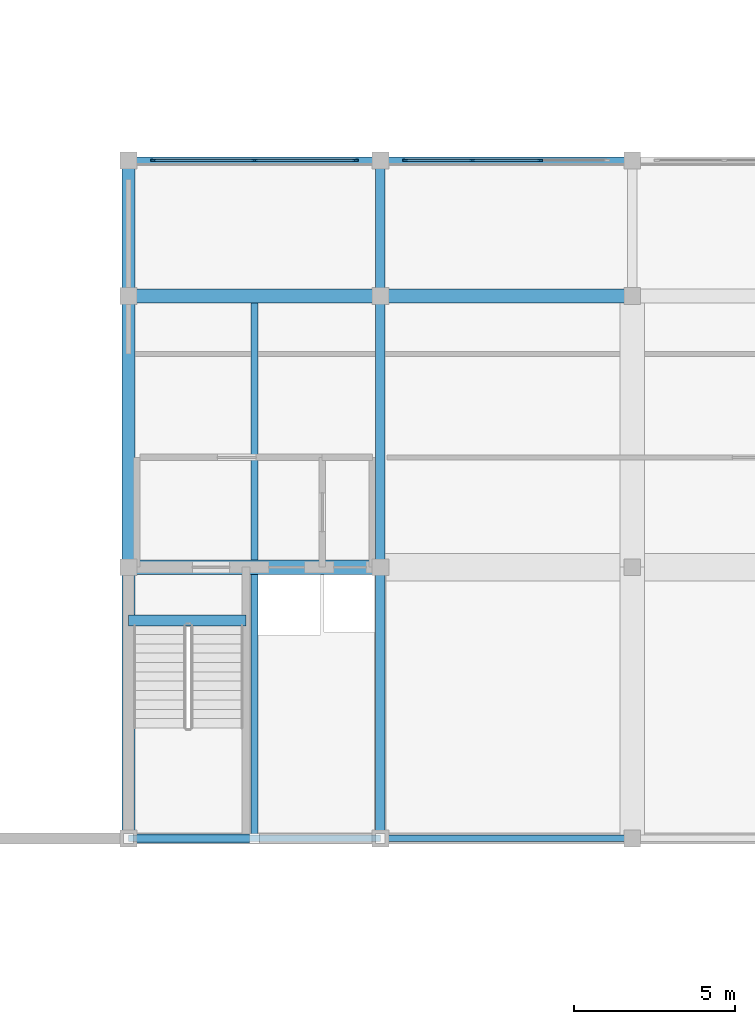
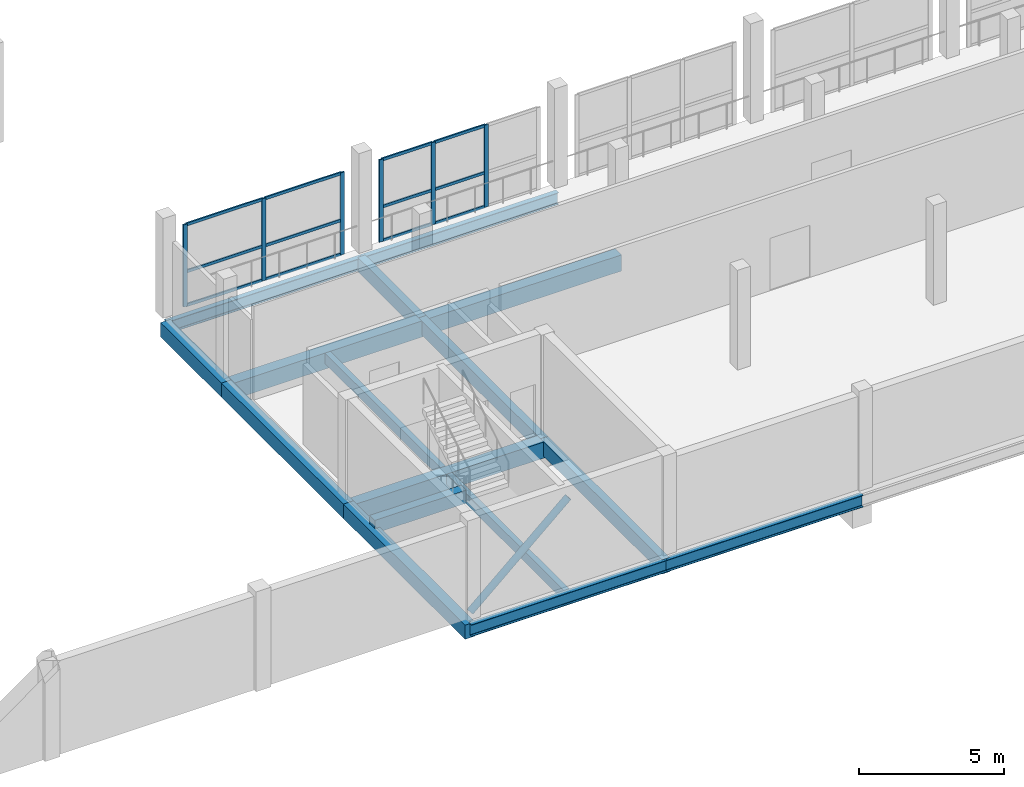
# One storey, part 27 of 53: 19 members, 16 beams, 2 elements without a shape of their own.
"""IFC4 building model written with IfcOpenShell, lengths in metres."""

from ifc_helpers import new_model, si_unit, direction, frame, origin, origin_2d, place, context, subcontext, project, spatial, rectangle, hollow_circle, i_section, extrude, material, material_profile, profile_set, type_object, element, aggregate, save


model = new_model("IFC4")

# Units and contexts
model_context = context("Model", 3, precision=1e-05, world=origin(), true_north=direction((0.0, 1.0)))
body_context = subcontext(model_context, "Body", "Model", "MODEL_VIEW")
ifc_project = project(units=[si_unit("LENGTHUNIT", "METRE"), si_unit("AREAUNIT", "SQUARE_METRE"), si_unit("VOLUMEUNIT", "CUBIC_METRE"), si_unit("PLANEANGLEUNIT", "RADIAN"), si_unit("MASSUNIT", "GRAM", prefix="KILO")], contexts=[model_context])

# Site, building, storey
site_placement = place(None, origin())
site = spatial("IfcSite", under=ifc_project, at=site_placement, CompositionType="ELEMENT")
building_placement = place(site_placement, origin())
building = spatial("IfcBuilding", under=site, at=building_placement, Name="Vharandega Faculty of Natural Sciences", CompositionType="ELEMENT")
storey_placement = place(building_placement, frame((0.0, 0.0, 10.199951171875)))
storey = spatial("IfcBuildingStorey", under=building, at=storey_placement, Name="L02", CompositionType="ELEMENT", Elevation=10.199951171875)

# Curtain wall, members
ifc_material_1 = material(Name="Aluminium and solar-control glass curtain wall", Category="aluminium")
curtain_wall_type_1 = type_object("IfcCurtainWallType", Name="Unitised Curtain Wall System CW-09", PredefinedType="NOTDEFINED", material=ifc_material_1)
curtain_wall_1_placement = place(storey_placement, origin())
curtain_wall_1 = element("IfcCurtainWall", 1, at=curtain_wall_1_placement, inside=storey, type_object=curtain_wall_type_1, Name="Curtain Wall CW-L02-008", PredefinedType="NOTDEFINED")
ifc_material_2 = material(Name="Thermally broken aluminium 6063-T6", Category="aluminium")
ifc_material_profile_1 = material_profile(ifc_material_2, rectangle(XDim=0.06005859375, YDim=0.159912109375, at=origin_2d()), Name="ALU 60x160")
ifc_profile_set_1 = profile_set([ifc_material_profile_1], Name="Thermally broken aluminium 6063-T6")
member_type_1 = type_object("IfcMemberType", Name="CW Mullion 60x160", PredefinedType="MULLION", material=ifc_profile_set_1)
member_1_placement = place(storey_placement, frame((115.570068359375, 85.0, 0.0), z_axis=(0.0, 0.0, 1.0), x_axis=(0.0, 1.0, 0.0)))
member_1 = element("IfcMember", 2, at=member_1_placement, type_object=member_type_1, Name="CW-09 mullion 1", PredefinedType="MULLION", context=body_context, shape_type="SweptSolid", body=[
    extrude(rectangle(XDim=0.06005859375, YDim=0.159912109375, at=origin_2d()), origin(), (0.0, 0.0, 1.0), 3.4599609375),
])
member_2_placement = place(storey_placement, frame((118.699951171875, 85.0, 0.0), z_axis=(0.0, 0.0, 1.0), x_axis=(0.0, 1.0, 0.0)))
member_2 = element("IfcMember", 3, at=member_2_placement, type_object=member_type_1, Name="CW-09 mullion 2", PredefinedType="MULLION", context=body_context, shape_type="SweptSolid", body=[
    extrude(rectangle(XDim=0.06005859375, YDim=0.159912109375, at=origin_2d()), origin(), (0.0, 0.0, 1.0), 3.4599609375),
])
member_3_placement = place(storey_placement, frame((121.830078125, 85.0, 0.0), z_axis=(0.0, 0.0, 1.0), x_axis=(0.0, 1.0, 0.0)))
member_3 = element("IfcMember", 4, at=member_3_placement, type_object=member_type_1, Name="CW-09 mullion 3", PredefinedType="MULLION", context=body_context, shape_type="SweptSolid", body=[
    extrude(rectangle(XDim=0.06005859375, YDim=0.159912109375, at=origin_2d()), origin(), (0.0, 0.0, 1.0), 3.4599609375),
])

ifc_material_3 = material(Name="Aluminium and solar-control glass curtain wall", Category="aluminium")
curtain_wall_type_2 = type_object("IfcCurtainWallType", Name="Unitised Curtain Wall System CW-10", PredefinedType="NOTDEFINED", material=ifc_material_3)
curtain_wall_2_placement = place(storey_placement, origin())
curtain_wall_2 = element("IfcCurtainWall", 5, at=curtain_wall_2_placement, inside=storey, type_object=curtain_wall_type_2, Name="Curtain Wall CW-L02-009", PredefinedType="NOTDEFINED")
member_4_placement = place(storey_placement, frame((123.3701171875, 85.0, 0.0), z_axis=(0.0, 0.0, 1.0), x_axis=(0.0, 1.0, 0.0)))
member_4 = element("IfcMember", 6, at=member_4_placement, type_object=member_type_1, Name="CW-10 mullion 1", PredefinedType="MULLION", context=body_context, shape_type="SweptSolid", body=[
    extrude(rectangle(XDim=0.06005859375, YDim=0.159912109375, at=origin_2d()), origin(), (0.0, 0.0, 1.0), 3.4599609375),
])
member_5_placement = place(storey_placement, frame((125.44677734375, 85.0, 0.0), z_axis=(0.0, 0.0, 1.0), x_axis=(0.0, 1.0, 0.0)))
member_5 = element("IfcMember", 7, at=member_5_placement, type_object=member_type_1, Name="CW-10 mullion 2", PredefinedType="MULLION", context=body_context, shape_type="SweptSolid", body=[
    extrude(rectangle(XDim=0.06005859375, YDim=0.159912109375, at=origin_2d()), origin(), (0.0, 0.0, 1.0), 3.4599609375),
])
member_6_placement = place(storey_placement, frame((127.55322265625, 85.0, 0.0), z_axis=(0.0, 0.0, 1.0), x_axis=(0.0, 1.0, 0.0)))
member_6 = element("IfcMember", 8, at=member_6_placement, type_object=member_type_1, Name="CW-10 mullion 3", PredefinedType="MULLION", context=body_context, shape_type="SweptSolid", body=[
    extrude(rectangle(XDim=0.06005859375, YDim=0.159912109375, at=origin_2d()), origin(), (0.0, 0.0, 1.0), 3.4599609375),
])

# Member
ifc_material_4 = material(Name="Thermally broken aluminium 6063-T6", Category="aluminium")
ifc_material_profile_2 = material_profile(ifc_material_4, rectangle(XDim=0.06005859375, YDim=0.1201171875, at=origin_2d()), Name="ALU 60x120")
ifc_profile_set_2 = profile_set([ifc_material_profile_2], Name="Thermally broken aluminium 6063-T6")
member_type_2 = type_object("IfcMemberType", Name="CW Transom 60x120", PredefinedType="USERDEFINED", material=ifc_profile_set_2)
member_7_placement = place(storey_placement, frame((115.60009765625, 85.0, 0.030029296875), z_axis=(1.0, 0.0, 0.0), x_axis=(0.0, 1.0, 0.0)))
member_7 = element("IfcMember", 9, at=member_7_placement, type_object=member_type_2, Name="CW-09 transom 1.1", ObjectType="TRANSOM", PredefinedType="USERDEFINED", context=body_context, shape_type="SweptSolid", body=[
    extrude(rectangle(XDim=0.06005859375, YDim=0.1201171875, at=origin_2d()), origin(), (0.0, 0.0, 1.0), 3.06982421875),
])

member_8_placement = place(storey_placement, frame((115.60009765625, 85.0, 1.453369140625), z_axis=(1.0, 0.0, 0.0), x_axis=(0.0, 1.0, 0.0)))
member_8 = element("IfcMember", 10, at=member_8_placement, type_object=member_type_2, Name="CW-09 transom 1.2", ObjectType="TRANSOM", PredefinedType="USERDEFINED", context=body_context, shape_type="SweptSolid", body=[
    extrude(rectangle(XDim=0.06005859375, YDim=0.1201171875, at=origin_2d()), origin(), (0.0, 0.0, 1.0), 3.06982421875),
])

member_9_placement = place(storey_placement, frame((115.60009765625, 85.0, 3.429931640625), z_axis=(1.0, 0.0, 0.0), x_axis=(0.0, 1.0, 0.0)))
member_9 = element("IfcMember", 11, at=member_9_placement, type_object=member_type_2, Name="CW-09 transom 1.3", ObjectType="TRANSOM", PredefinedType="USERDEFINED", context=body_context, shape_type="SweptSolid", body=[
    extrude(rectangle(XDim=0.06005859375, YDim=0.1201171875, at=origin_2d()), origin(), (0.0, 0.0, 1.0), 3.06982421875),
])

member_10_placement = place(storey_placement, frame((118.72998046875, 85.0, 0.030029296875), z_axis=(1.0, 0.0, 0.0), x_axis=(0.0, 1.0, 0.0)))
member_10 = element("IfcMember", 12, at=member_10_placement, type_object=member_type_2, Name="CW-09 transom 2.1", ObjectType="TRANSOM", PredefinedType="USERDEFINED", context=body_context, shape_type="SweptSolid", body=[
    extrude(rectangle(XDim=0.06005859375, YDim=0.1201171875, at=origin_2d()), origin(), (0.0, 0.0, 1.0), 3.070068359375),
])

member_11_placement = place(storey_placement, frame((118.72998046875, 85.0, 1.453369140625), z_axis=(1.0, 0.0, 0.0), x_axis=(0.0, 1.0, 0.0)))
member_11 = element("IfcMember", 13, at=member_11_placement, type_object=member_type_2, Name="CW-09 transom 2.2", ObjectType="TRANSOM", PredefinedType="USERDEFINED", context=body_context, shape_type="SweptSolid", body=[
    extrude(rectangle(XDim=0.06005859375, YDim=0.1201171875, at=origin_2d()), origin(), (0.0, 0.0, 1.0), 3.070068359375),
])

member_12_placement = place(storey_placement, frame((118.72998046875, 85.0, 3.429931640625), z_axis=(1.0, 0.0, 0.0), x_axis=(0.0, 1.0, 0.0)))
member_12 = element("IfcMember", 14, at=member_12_placement, type_object=member_type_2, Name="CW-09 transom 2.3", ObjectType="TRANSOM", PredefinedType="USERDEFINED", context=body_context, shape_type="SweptSolid", body=[
    extrude(rectangle(XDim=0.06005859375, YDim=0.1201171875, at=origin_2d()), origin(), (0.0, 0.0, 1.0), 3.070068359375),
])

aggregate(curtain_wall_1, [member_1, member_2, member_3, member_7, member_8, member_9, member_10, member_11, member_12])

member_13_placement = place(storey_placement, frame((123.39990234375, 85.0, 0.030029296875), z_axis=(1.0, 0.0, 0.0), x_axis=(0.0, 1.0, 0.0)))
member_13 = element("IfcMember", 15, at=member_13_placement, type_object=member_type_2, Name="CW-10 transom 1.1", ObjectType="TRANSOM", PredefinedType="USERDEFINED", context=body_context, shape_type="SweptSolid", body=[
    extrude(rectangle(XDim=0.06005859375, YDim=0.1201171875, at=origin_2d()), origin(), (0.0, 0.0, 1.0), 2.016845703125),
])

member_14_placement = place(storey_placement, frame((123.39990234375, 85.0, 1.453369140625), z_axis=(1.0, 0.0, 0.0), x_axis=(0.0, 1.0, 0.0)))
member_14 = element("IfcMember", 16, at=member_14_placement, type_object=member_type_2, Name="CW-10 transom 1.2", ObjectType="TRANSOM", PredefinedType="USERDEFINED", context=body_context, shape_type="SweptSolid", body=[
    extrude(rectangle(XDim=0.06005859375, YDim=0.1201171875, at=origin_2d()), origin(), (0.0, 0.0, 1.0), 2.016845703125),
])

member_15_placement = place(storey_placement, frame((123.39990234375, 85.0, 3.429931640625), z_axis=(1.0, 0.0, 0.0), x_axis=(0.0, 1.0, 0.0)))
member_15 = element("IfcMember", 17, at=member_15_placement, type_object=member_type_2, Name="CW-10 transom 1.3", ObjectType="TRANSOM", PredefinedType="USERDEFINED", context=body_context, shape_type="SweptSolid", body=[
    extrude(rectangle(XDim=0.06005859375, YDim=0.1201171875, at=origin_2d()), origin(), (0.0, 0.0, 1.0), 2.016845703125),
])

member_16_placement = place(storey_placement, frame((125.4765625, 85.0, 0.030029296875), z_axis=(1.0, 0.0, 0.0), x_axis=(0.0, 1.0, 0.0)))
member_16 = element("IfcMember", 18, at=member_16_placement, type_object=member_type_2, Name="CW-10 transom 2.1", ObjectType="TRANSOM", PredefinedType="USERDEFINED", context=body_context, shape_type="SweptSolid", body=[
    extrude(rectangle(XDim=0.06005859375, YDim=0.1201171875, at=origin_2d()), origin(), (0.0, 0.0, 1.0), 2.046875),
])

member_17_placement = place(storey_placement, frame((125.4765625, 85.0, 1.453369140625), z_axis=(1.0, 0.0, 0.0), x_axis=(0.0, 1.0, 0.0)))
member_17 = element("IfcMember", 19, at=member_17_placement, type_object=member_type_2, Name="CW-10 transom 2.2", ObjectType="TRANSOM", PredefinedType="USERDEFINED", context=body_context, shape_type="SweptSolid", body=[
    extrude(rectangle(XDim=0.06005859375, YDim=0.1201171875, at=origin_2d()), origin(), (0.0, 0.0, 1.0), 2.046875),
])

member_18_placement = place(storey_placement, frame((125.4765625, 85.0, 3.429931640625), z_axis=(1.0, 0.0, 0.0), x_axis=(0.0, 1.0, 0.0)))
member_18 = element("IfcMember", 20, at=member_18_placement, type_object=member_type_2, Name="CW-10 transom 2.3", ObjectType="TRANSOM", PredefinedType="USERDEFINED", context=body_context, shape_type="SweptSolid", body=[
    extrude(rectangle(XDim=0.06005859375, YDim=0.1201171875, at=origin_2d()), origin(), (0.0, 0.0, 1.0), 2.046875),
])

aggregate(curtain_wall_2, [member_4, member_5, member_6, member_13, member_14, member_15, member_16, member_17, member_18])

# Beams
ifc_material_5 = material(Name="Glulam GL28h", Category="wood")
ifc_material_profile_3 = material_profile(ifc_material_5, rectangle(XDim=0.300048828125, YDim=0.60009765625, at=origin_2d()), Name="GL28h 300x600")
ifc_profile_set_3 = profile_set([ifc_material_profile_3], Name="Glulam GL28h")
beam_type_1 = type_object("IfcBeamType", Name="Glulam Floor Beam 300x600", PredefinedType="BEAM", material=ifc_profile_set_3)
beam_1_placement = place(storey_placement, frame((122.60009765625, 64.0, -0.64990234375), z_axis=(0.0, 1.0, 0.0), x_axis=(-1.0, 0.0, 0.0)))
element("IfcBeam", 21, at=beam_1_placement, inside=storey, type_object=beam_type_1, Name="Beam L02 16/J-K", PredefinedType="BEAM", context=body_context, shape_type="SweptSolid", body=[
    extrude(rectangle(XDim=0.300048828125, YDim=0.60009765625, at=origin_2d()), origin(), (0.0, 0.0, 1.0), 8.39990234375),
])
beam_2_placement = place(storey_placement, frame((122.60009765625, 72.39990234375, -0.64990234375), z_axis=(0.0, 1.0, 0.0), x_axis=(-1.0, 0.0, 0.0)))
element("IfcBeam", 22, at=beam_2_placement, inside=storey, type_object=beam_type_1, Name="Beam L02 16/K-L", PredefinedType="BEAM", context=body_context, shape_type="SweptSolid", body=[
    extrude(rectangle(XDim=0.300048828125, YDim=0.60009765625, at=origin_2d()), origin(), (0.0, 0.0, 1.0), 8.400146484375),
])
beam_3_placement = place(storey_placement, frame((122.60009765625, 80.800048828125, -0.64990234375), z_axis=(0.0, 1.0, 0.0), x_axis=(-1.0, 0.0, 0.0)))
element("IfcBeam", 23, at=beam_3_placement, inside=storey, type_object=beam_type_1, Name="Beam L02 16/L-M", PredefinedType="BEAM", context=body_context, shape_type="SweptSolid", body=[
    extrude(rectangle(XDim=0.300048828125, YDim=0.60009765625, at=origin_2d()), origin(), (0.0, 0.0, 1.0), 4.199951171875),
])
ifc_material_6 = material(Name="Glulam GL32h", Category="wood")
ifc_material_profile_4 = material_profile(ifc_material_6, rectangle(XDim=0.43994140625, YDim=0.679931640625, at=origin_2d()), Name="GL32h 440x680")
ifc_profile_set_4 = profile_set([ifc_material_profile_4], Name="Glulam GL32h")
beam_type_2 = type_object("IfcBeamType", Name="Glulam Girder 440x680", PredefinedType="BEAM", material=ifc_profile_set_4)
for number, where, z_axis, x_axis, name in (
    (24, (114.800048828125, 72.39990234375, -0.68994140625), (1.0, 0.0, 0.0), (0.0, 1.0, 0.0), "Beam L02 K/15-16"),
    (25, (114.800048828125, 80.800048828125, -0.68994140625), (1.0, 0.0, 0.0), (0.0, 1.0, 0.0), "Beam L02 L/15-16"),
):
    element("IfcBeam", number, at=place(storey_placement, frame(where, z_axis=z_axis, x_axis=x_axis)), inside=storey, type_object=beam_type_2, Name=name, PredefinedType="BEAM", context=body_context, shape_type="SweptSolid", body=[
        extrude(rectangle(XDim=0.43994140625, YDim=0.679931640625, at=origin_2d()), origin(), (0.0, 0.0, 1.0), 7.800048828125),
    ])
beam_4_placement = place(storey_placement, frame((122.60009765625, 80.800048828125, -0.68994140625), z_axis=(1.0, 0.0, 0.0), x_axis=(0.0, 1.0, 0.0)))
element("IfcBeam", 26, at=beam_4_placement, inside=storey, type_object=beam_type_2, Name="Beam L02 L/16-17", PredefinedType="BEAM", context=body_context, shape_type="SweptSolid", body=[
    extrude(rectangle(XDim=0.43994140625, YDim=0.679931640625, at=origin_2d()), origin(), (0.0, 0.0, 1.0), 7.7998046875),
])
ifc_material_7 = material(Name="Glulam GL28h", Category="wood")
ifc_material_profile_5 = material_profile(ifc_material_7, rectangle(XDim=0.219970703125, YDim=0.43994140625, at=origin_2d()), Name="GL28h 220x440")
ifc_profile_set_5 = profile_set([ifc_material_profile_5], Name="Glulam GL28h")
beam_type_3 = type_object("IfcBeamType", Name="Glulam Secondary Joist 220x440", PredefinedType="JOIST", material=ifc_profile_set_5)
beam_5_placement = place(storey_placement, frame((118.699951171875, 64.10009765625, -0.570068359375), z_axis=(0.0, 1.0, 0.0), x_axis=(-1.0, 0.0, 0.0)))
element("IfcBeam", 27, at=beam_5_placement, inside=storey, type_object=beam_type_3, Name="Secondary Joist L02 15-16/J-K", PredefinedType="JOIST", context=body_context, shape_type="SweptSolid", body=[
    extrude(rectangle(XDim=0.219970703125, YDim=0.43994140625, at=origin_2d()), origin(), (0.0, 0.0, 1.0), 8.079833984375),
])
beam_6_placement = place(storey_placement, frame((118.699951171875, 72.6201171875, -0.570068359375), z_axis=(0.0, 1.0, 0.0), x_axis=(-1.0, 0.0, 0.0)))
element("IfcBeam", 28, at=beam_6_placement, inside=storey, type_object=beam_type_3, Name="Secondary Joist L02 15-16/K-L", PredefinedType="JOIST", context=body_context, shape_type="SweptSolid", body=[
    extrude(rectangle(XDim=0.219970703125, YDim=0.43994140625, at=origin_2d()), origin(), (0.0, 0.0, 1.0), 7.9599609375),
])
ifc_material_8 = material(Name="Glulam GL32h", Category="wood")
ifc_material_profile_6 = material_profile(ifc_material_8, rectangle(XDim=0.39990234375, YDim=0.60009765625, at=origin_2d()), Name="GL32h 400x600")
ifc_profile_set_6 = profile_set([ifc_material_profile_6], Name="Glulam GL32h")
beam_type_4 = type_object("IfcBeamType", Name="Glulam Spine Girder 400x600", PredefinedType="BEAM", material=ifc_profile_set_6)
beam_7_placement = place(storey_placement, frame((114.800048828125, 64.0, -0.64990234375), z_axis=(0.0, 1.0, 0.0), x_axis=(-1.0, 0.0, 0.0)))
element("IfcBeam", 29, at=beam_7_placement, inside=storey, type_object=beam_type_4, Name="Beam L02 15/J-K", PredefinedType="BEAM", context=body_context, shape_type="SweptSolid", body=[
    extrude(rectangle(XDim=0.39990234375, YDim=0.60009765625, at=origin_2d()), origin(), (0.0, 0.0, 1.0), 8.39990234375),
])
beam_8_placement = place(storey_placement, frame((114.800048828125, 72.39990234375, -0.64990234375), z_axis=(0.0, 1.0, 0.0), x_axis=(-1.0, 0.0, 0.0)))
element("IfcBeam", 30, at=beam_8_placement, inside=storey, type_object=beam_type_4, Name="Beam L02 15/K-L", PredefinedType="BEAM", context=body_context, shape_type="SweptSolid", body=[
    extrude(rectangle(XDim=0.39990234375, YDim=0.60009765625, at=origin_2d()), origin(), (0.0, 0.0, 1.0), 8.400146484375),
])
beam_9_placement = place(storey_placement, frame((114.800048828125, 80.800048828125, -0.64990234375), z_axis=(0.0, 1.0, 0.0), x_axis=(-1.0, 0.0, 0.0)))
element("IfcBeam", 31, at=beam_9_placement, inside=storey, type_object=beam_type_4, Name="Beam L02 15/L-M", PredefinedType="BEAM", context=body_context, shape_type="SweptSolid", body=[
    extrude(rectangle(XDim=0.39990234375, YDim=0.60009765625, at=origin_2d()), origin(), (0.0, 0.0, 1.0), 4.199951171875),
])

# Member
ifc_material_9 = material(Name="Steel S355", Category="steel")
ifc_material_profile_7 = material_profile(ifc_material_9, hollow_circle(Radius=0.136474609375, WallThickness=0.01611328125, at=origin_2d()), Name="CHS 273x16")
ifc_profile_set_7 = profile_set([ifc_material_profile_7], Name="Steel S355")
member_type_3 = type_object("IfcMemberType", Name="Perimeter Chevron Brace CHS 273", PredefinedType="BRACE", material=ifc_profile_set_7)
member_19_placement = place(storey_placement, frame((114.800048828125, 64.0, 0.150146484375), z_axis=(0.748039391484, 0.0, 0.663654329292), x_axis=(0.0, 1.0, 0.0)))
element("IfcMember", 32, at=member_19_placement, inside=storey, type_object=member_type_3, Name="Chevron Brace J L02-1", PredefinedType="BRACE", context=body_context, shape_type="SweptSolid", body=[
    extrude(hollow_circle(Radius=0.136474609375, WallThickness=0.01611328125, at=origin_2d()), origin(), (0.0, 0.0, 1.0), 5.21337890625),
])

# Beams
ifc_material_10 = material(Name="Concrete C40/50", Category="concrete")
ifc_material_profile_8 = material_profile(ifc_material_10, rectangle(XDim=0.35009765625, YDim=0.550048828125, at=origin_2d()), Name="RC 350x550")
ifc_profile_set_8 = profile_set([ifc_material_profile_8], Name="Concrete C40/50")
beam_type_5 = type_object("IfcBeamType", Name="Stair Header Trimmer Beam 350x550", PredefinedType="BEAM", material=ifc_profile_set_8)
beam_10_placement = place(storey_placement, frame((114.800048828125, 70.75, -0.27490234375), z_axis=(1.0, 0.0, 0.0), x_axis=(0.0, 1.0, 0.0)))
element("IfcBeam", 33, at=beam_10_placement, inside=storey, type_object=beam_type_5, Name="Stair Landing Trimmer Beam C1 L02", PredefinedType="BEAM", context=body_context, shape_type="SweptSolid", body=[
    extrude(rectangle(XDim=0.35009765625, YDim=0.550048828125, at=origin_2d()), origin(), (0.0, 0.0, 1.0), 3.639892578125),
])
ifc_material_11 = material(Name="Steel S355", Category="steel")
ifc_material_profile_9 = material_profile(ifc_material_11, i_section(OverallWidth=0.199951171875, OverallDepth=0.5, WebThickness=0.01025390625, FlangeThickness=0.01611328125, FilletRadius=0.02099609375, at=origin_2d()), Name="IPE 500")
ifc_profile_set_9 = profile_set([ifc_material_profile_9], Name="Steel S355")
beam_type_6 = type_object("IfcBeamType", Name="Steel Spandrel Beam IPE 500", PredefinedType="SPANDREL", material=ifc_profile_set_9)
beam_11_placement = place(storey_placement, frame((114.800048828125, 64.0, -0.599853515625), z_axis=(1.0, 0.0, 0.0), x_axis=(0.0, 1.0, 0.0)))
element("IfcBeam", 34, at=beam_11_placement, inside=storey, type_object=beam_type_6, Name="Beam L02 J/15-16", PredefinedType="SPANDREL", context=body_context, shape_type="SweptSolid", body=[
    extrude(i_section(OverallWidth=0.199951171875, OverallDepth=0.5, WebThickness=0.01025390625, FlangeThickness=0.01611328125, FilletRadius=0.02099609375, at=origin_2d()), origin(), (0.0, 0.0, 1.0), 7.800048828125),
])
beam_12_placement = place(storey_placement, frame((122.60009765625, 64.0, -0.599853515625), z_axis=(1.0, 0.0, 0.0), x_axis=(0.0, 1.0, 0.0)))
element("IfcBeam", 35, at=beam_12_placement, inside=storey, type_object=beam_type_6, Name="Beam L02 J/16-17", PredefinedType="SPANDREL", context=body_context, shape_type="SweptSolid", body=[
    extrude(i_section(OverallWidth=0.199951171875, OverallDepth=0.5, WebThickness=0.01025390625, FlangeThickness=0.01611328125, FilletRadius=0.02099609375, at=origin_2d()), origin(), (0.0, 0.0, 1.0), 7.7998046875),
])
beam_13_placement = place(storey_placement, frame((114.800048828125, 85.0, -0.599853515625), z_axis=(1.0, 0.0, 0.0), x_axis=(0.0, 1.0, 0.0)))
element("IfcBeam", 36, at=beam_13_placement, inside=storey, type_object=beam_type_6, Name="Beam L02 M/15-16", PredefinedType="SPANDREL", context=body_context, shape_type="SweptSolid", body=[
    extrude(i_section(OverallWidth=0.199951171875, OverallDepth=0.5, WebThickness=0.01025390625, FlangeThickness=0.01611328125, FilletRadius=0.02099609375, at=origin_2d()), origin(), (0.0, 0.0, 1.0), 7.800048828125),
])
beam_14_placement = place(storey_placement, frame((122.60009765625, 85.0, -0.599853515625), z_axis=(1.0, 0.0, 0.0), x_axis=(0.0, 1.0, 0.0)))
element("IfcBeam", 37, at=beam_14_placement, inside=storey, type_object=beam_type_6, Name="Beam L02 M/16-17", PredefinedType="SPANDREL", context=body_context, shape_type="SweptSolid", body=[
    extrude(i_section(OverallWidth=0.199951171875, OverallDepth=0.5, WebThickness=0.01025390625, FlangeThickness=0.01611328125, FilletRadius=0.02099609375, at=origin_2d()), origin(), (0.0, 0.0, 1.0), 7.7998046875),
])

save(model, "model.ifc")
